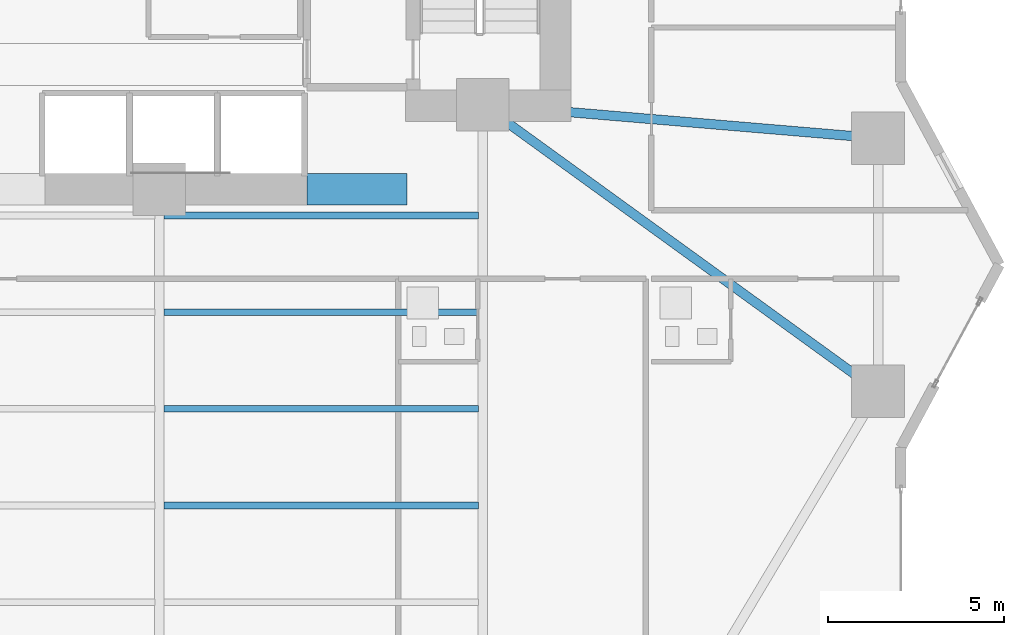
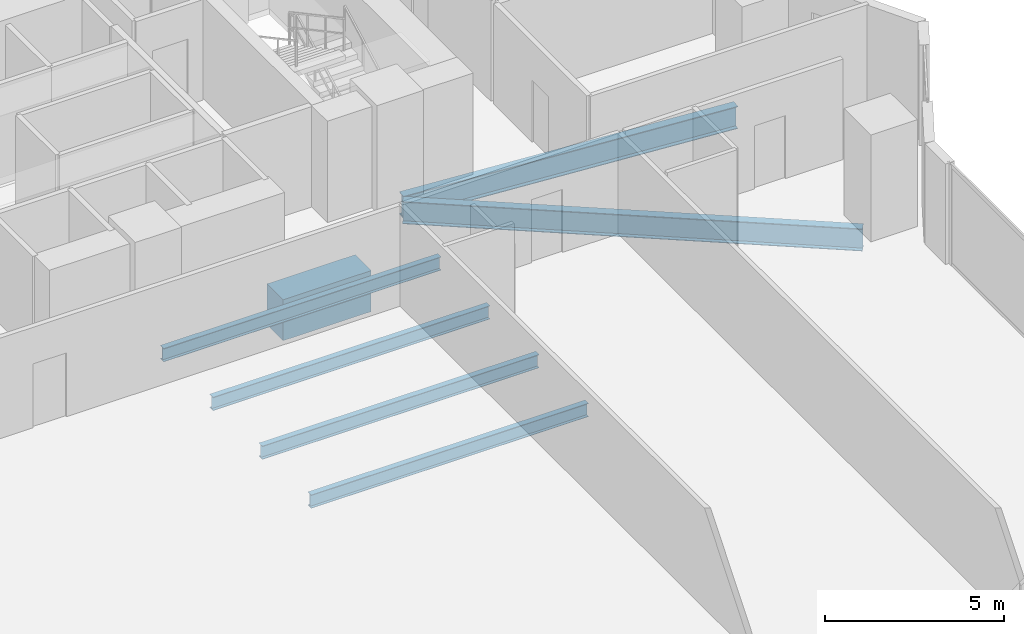
# One storey, part 11 of 28: 7 beams.
"""IFC4 building model written with IfcOpenShell, lengths in metres."""

from ifc_helpers import new_model, si_unit, direction, frame, origin, origin_2d, place, context, subcontext, project, spatial, rectangle, i_section, extrude, material, material_profile, profile_set, type_object, element, save


model = new_model("IFC4")

# Units and contexts
model_context = context("Model", 3, precision=1e-05, world=origin(), true_north=direction((0.0, 1.0)))
body_context = subcontext(model_context, "Body", "Model", "MODEL_VIEW")
ifc_project = project(units=[si_unit("LENGTHUNIT", "METRE"), si_unit("AREAUNIT", "SQUARE_METRE"), si_unit("VOLUMEUNIT", "CUBIC_METRE"), si_unit("PLANEANGLEUNIT", "RADIAN"), si_unit("MASSUNIT", "GRAM", prefix="KILO")], contexts=[model_context])

# Site, building, storey
site_placement = place(None, origin())
site = spatial("IfcSite", under=ifc_project, at=site_placement, CompositionType="ELEMENT")
building_placement = place(site_placement, origin())
building = spatial("IfcBuilding", under=site, at=building_placement, Name="Zuhayl Quay Hotel", CompositionType="ELEMENT")
storey_placement = place(building_placement, frame((0.0, 0.0, 71.39990234375)))
storey = spatial("IfcBuildingStorey", under=building, at=storey_placement, Name="L17", CompositionType="ELEMENT", Elevation=71.39990234375)

# Beams
ifc_material_1 = material(Name="Steel ASTM A992 Grade 50", Category="steel")
ifc_material_profile_1 = material_profile(ifc_material_1, i_section(OverallWidth=0.26708984375, OverallDepth=0.761962890625, WebThickness=0.014404296875, FlangeThickness=0.021484375, at=origin_2d()), Name="W30X116")
ifc_profile_set_1 = profile_set([ifc_material_profile_1], Name="Steel ASTM A992 Grade 50")
beam_type_1 = type_object("IfcBeamType", Name="BM_B1_W30X116", PredefinedType="BEAM", material=ifc_profile_set_1)
beam_1_placement = place(storey_placement, frame((14.164306640625, 4.285888671875, -0.600830078125), z_axis=(0.809830244688, -0.586664277751, 0.0), x_axis=(0.586664277751, 0.809830244688, 0.0)))
element("IfcBeam", 1, at=beam_1_placement, inside=storey, type_object=beam_type_1, Name="L17 Floor Beam FG_E_L17_1", PredefinedType="BEAM", context=body_context, shape_type="SweptSolid", body=[
    extrude(i_section(OverallWidth=0.26708984375, OverallDepth=0.761962890625, WebThickness=0.014404296875, FlangeThickness=0.021484375, at=origin_2d()), origin(), (0.0, 0.0, 1.0), 12.94189453125),
])
beam_2_placement = place(storey_placement, frame((14.248291015625, 4.51220703125, -0.600830078125), z_axis=(0.996453145398, -0.084149444594, 0.0), x_axis=(0.084149444594, 0.996453145398, 0.0)))
element("IfcBeam", 2, at=beam_2_placement, inside=storey, type_object=beam_type_1, Name="L17 Floor Beam FG_E_L17_2", PredefinedType="BEAM", context=body_context, shape_type="SweptSolid", body=[
    extrude(i_section(OverallWidth=0.26708984375, OverallDepth=0.761962890625, WebThickness=0.014404296875, FlangeThickness=0.021484375, at=origin_2d()), origin(), (0.0, 0.0, 1.0), 10.340087890625),
])
ifc_material_2 = material(Name="Concrete C60/75", Category="concrete")
ifc_material_profile_2 = material_profile(ifc_material_2, rectangle(XDim=0.89990234375, YDim=1.39990234375, at=origin_2d()), Name="RC900X1400")
ifc_profile_set_2 = profile_set([ifc_material_profile_2], Name="Concrete C60/75")
beam_type_2 = type_object("IfcBeamType", Name="BM_CB1_RC900", PredefinedType="T_BEAM", material=ifc_profile_set_2)
beam_3_placement = place(storey_placement, frame((8.800048828125, 2.14990234375, -0.919921875), z_axis=(1.0, 0.0, 0.0), x_axis=(0.0, 1.0, 0.0)))
element("IfcBeam", 3, at=beam_3_placement, inside=storey, type_object=beam_type_2, Name="L17 Core Coupling Beam SE", PredefinedType="T_BEAM", context=body_context, shape_type="SweptSolid", body=[
    extrude(rectangle(XDim=0.89990234375, YDim=1.39990234375, at=origin_2d()), origin(), (0.0, 0.0, 1.0), 2.849853515625),
])
ifc_material_profile_3 = material_profile(ifc_material_1, i_section(OverallWidth=0.18994140625, OverallDepth=0.45703125, WebThickness=0.009033203125, FlangeThickness=0.014404296875, at=origin_2d()), Name="W18X50")
ifc_profile_set_3 = profile_set([ifc_material_profile_3], Name="Steel ASTM A992 Grade 50")
beam_type_3 = type_object("IfcBeamType", Name="BM_J2_W18X50", PredefinedType="JOIST", material=ifc_profile_set_3)
for number, where, z_axis, x_axis, name in (
    (4, (4.7255859375, -6.85009765625, -0.448486328125), (1.0, 0.0, 0.0), (0.0, 1.0, 0.0), "L17 Floor Beam FJ_L17_7_3"),
    (5, (4.7255859375, -4.10009765625, -0.448486328125), (1.0, 0.0, 0.0), (0.0, 1.0, 0.0), "L17 Floor Beam FJ_L17_8_3"),
    (6, (4.7255859375, -1.35009765625, -0.448486328125), (1.0, 0.0, 0.0), (0.0, 1.0, 0.0), "L17 Floor Beam FJ_L17_9_3"),
    (7, (4.7255859375, 1.39990234375, -0.448486328125), (1.0, 0.0, 0.0), (0.0, 1.0, 0.0), "L17 Floor Beam FJ_L17_10_3"),
):
    element("IfcBeam", number, at=place(storey_placement, frame(where, z_axis=z_axis, x_axis=x_axis)), inside=storey, type_object=beam_type_3, Name=name, PredefinedType="JOIST", context=body_context, shape_type="SweptSolid", body=[
        extrude(i_section(OverallWidth=0.18994140625, OverallDepth=0.45703125, WebThickness=0.009033203125, FlangeThickness=0.014404296875, at=origin_2d()), origin(), (0.0, 0.0, 1.0), 8.948974609375),
    ])

save(model, "model.ifc")
